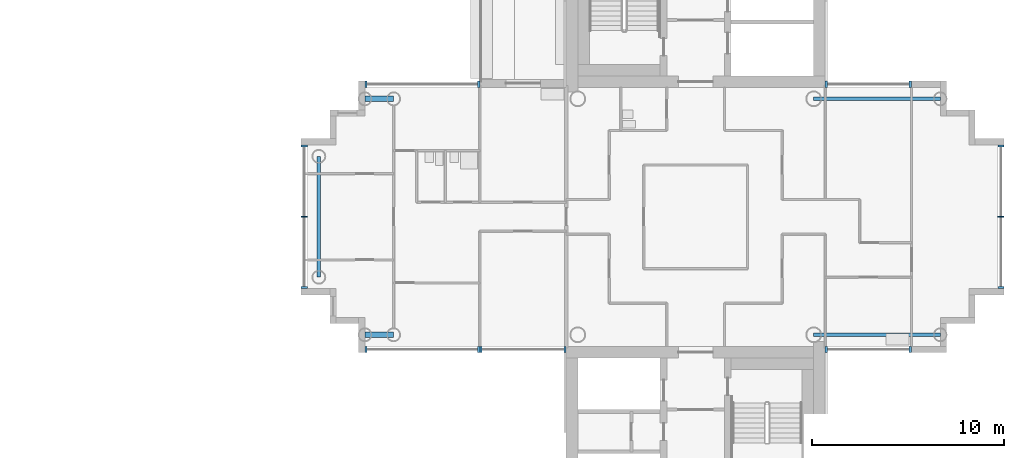
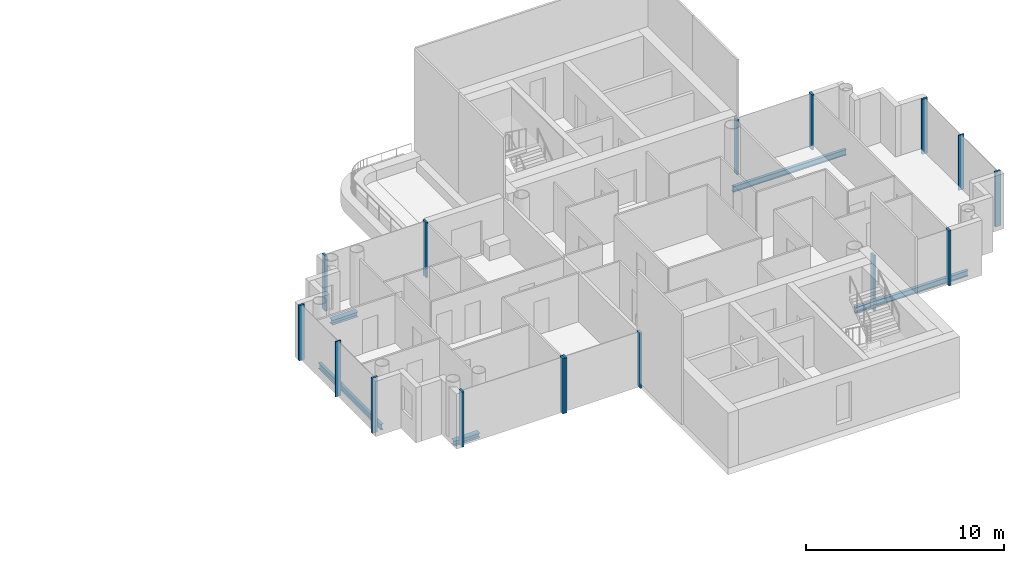
# One storey, part 4 of 18: 16 members, 5 beams, 7 elements without a shape of their own.
"""IFC4 building model written with IfcOpenShell, lengths in metres."""

from ifc_helpers import new_model, si_unit, direction, frame, origin, origin_2d, place, context, subcontext, project, spatial, rectangle, i_section, extrude, material, layer, layer_set, material_profile, profile_set, type_object, element, aggregate, save


model = new_model("IFC4")

# Units and contexts
model_context = context("Model", 3, precision=1e-05, world=origin(), true_north=direction((0.0, 1.0)))
body_context = subcontext(model_context, "Body", "Model", "MODEL_VIEW")
ifc_project = project(units=[si_unit("LENGTHUNIT", "METRE"), si_unit("AREAUNIT", "SQUARE_METRE"), si_unit("VOLUMEUNIT", "CUBIC_METRE"), si_unit("PLANEANGLEUNIT", "RADIAN"), si_unit("MASSUNIT", "GRAM", prefix="KILO")], contexts=[model_context])

# Site, building, storey
site_placement = place(None, origin())
site = spatial("IfcSite", under=ifc_project, at=site_placement, CompositionType="ELEMENT")
building_placement = place(site_placement, origin())
building = spatial("IfcBuilding", under=site, at=building_placement, Name="Ipe Terrace Towers", CompositionType="ELEMENT")
storey_placement = place(building_placement, frame((0.0, 0.0, 199.39990234375)))
storey = spatial("IfcBuildingStorey", under=building, at=storey_placement, Name="L55", CompositionType="ELEMENT", Elevation=199.39990234375)

# Beams
ifc_material_1 = material(Name="Steel S355", Category="steel")
ifc_material_profile_1 = material_profile(ifc_material_1, i_section(OverallWidth=0.300048828125, OverallDepth=0.300048828125, WebThickness=0.010009765625, FlangeThickness=0.014892578125, at=origin_2d()), Name="H-300x300x10x15")
ifc_profile_set_1 = profile_set([ifc_material_profile_1], Name="Steel S355")
beam_type_1 = type_object("IfcBeamType", Name="H03 EDGE BEAM H-300x300x10x15", PredefinedType="BEAM", material=ifc_profile_set_1)
for number, where, z_axis, x_axis, name in (
    (1, (20.25, 6.14990234375, -0.5498046875), (-1.0, 0.0, 0.0), (0.0, -1.0, 0.0), "Edge beam T2-EB-B03-B05"),
    (2, (20.25, -6.14990234375, -0.5498046875), (-1.0, 0.0, 0.0), (0.0, -1.0, 0.0), "Edge beam T2-EB-B04-B06"),
):
    element("IfcBeam", number, at=place(storey_placement, frame(where, z_axis=z_axis, x_axis=x_axis)), inside=storey, type_object=beam_type_1, Name=name, PredefinedType="BEAM", context=body_context, shape_type="SweptSolid", body=[
        extrude(i_section(OverallWidth=0.300048828125, OverallDepth=0.300048828125, WebThickness=0.010009765625, FlangeThickness=0.014892578125, at=origin_2d()), origin(), (0.0, 0.0, 1.0), 1.5),
    ])
ifc_material_2 = material(Name="Steel S355", Category="steel")
ifc_material_profile_2 = material_profile(ifc_material_2, i_section(OverallWidth=0.175048828125, OverallDepth=0.35009765625, WebThickness=0.007080078125, FlangeThickness=0.010986328125, at=origin_2d()), Name="H-350x175x7x11")
ifc_profile_set_2 = profile_set([ifc_material_profile_2], Name="Steel S355")
beam_type_2 = type_object("IfcBeamType", Name="H04 EDGE BEAM H-350x175x7x11", PredefinedType="BEAM", material=ifc_profile_set_2)
beam_placement = place(storey_placement, frame((16.35009765625, 3.14990234375, -0.574951171875), z_axis=(0.0, -1.0, 0.0), x_axis=(1.0, 0.0, 0.0)))
element("IfcBeam", 3, at=beam_placement, inside=storey, type_object=beam_type_2, Name="Edge beam T2-EB-B07-B08", PredefinedType="BEAM", context=body_context, shape_type="SweptSolid", body=[
    extrude(i_section(OverallWidth=0.175048828125, OverallDepth=0.35009765625, WebThickness=0.007080078125, FlangeThickness=0.010986328125, at=origin_2d()), origin(), (0.0, 0.0, 1.0), 6.2998046875),
])
for number, where, z_axis, x_axis, name in (
    (4, (48.75, -6.14990234375, -0.574951171875), (-1.0, 0.0, 0.0), (0.0, -1.0, 0.0), "Edge beam T2-EB-D01-E01"),
    (5, (48.75, 6.14990234375, -0.574951171875), (-1.0, 0.0, 0.0), (0.0, -1.0, 0.0), "Edge beam T2-EB-D02-E02"),
):
    element("IfcBeam", number, at=place(storey_placement, frame(where, z_axis=z_axis, x_axis=x_axis)), inside=storey, type_object=beam_type_2, Name=name, PredefinedType="BEAM", context=body_context, shape_type="SweptSolid", body=[
        extrude(i_section(OverallWidth=0.175048828125, OverallDepth=0.35009765625, WebThickness=0.007080078125, FlangeThickness=0.010986328125, at=origin_2d()), origin(), (0.0, 0.0, 1.0), 6.60009765625),
    ])

# Curtain wall, members
ifc_material_3 = material(Name="Aluminium alloy 6063-T6", Category="aluminium")
ifc_layer = layer(ifc_material_3, 0.320068359375)
ifc_layer_set = layer_set([ifc_layer], Name="TOWER UNITISED CURTAIN WALL")
curtain_wall_type = type_object("IfcCurtainWallType", Name="TOWER UNITISED CURTAIN WALL", PredefinedType="NOTDEFINED", material=ifc_layer_set)
curtain_wall_1_placement = place(storey_placement, origin())
curtain_wall_1 = element("IfcCurtainWall", 6, at=curtain_wall_1_placement, inside=storey, type_object=curtain_wall_type, Name="T2-CW-L55-02a curtain wall", PredefinedType="NOTDEFINED")
ifc_material_4 = material(Name="Aluminium alloy 6063-T6", Category="aluminium")
ifc_material_profile_3 = material_profile(ifc_material_4, rectangle(XDim=0.320068359375, YDim=0.1201171875, at=origin_2d()), Name="TOWER UNITISED CORNER MULLION 320 x 120")
ifc_profile_set_3 = profile_set([ifc_material_profile_3], Name="Aluminium alloy 6063-T6")
member_type_1 = type_object("IfcMemberType", Name="TOWER UNITISED CORNER MULLION 320 x 120", PredefinedType="MULLION", material=ifc_profile_set_3)
member_1_placement = place(storey_placement, frame((42.81005859375, -6.909912109375, -0.2998046875), z_axis=(0.0, 0.0, 1.0), x_axis=(0.0, -1.0, 0.0)))
member_1 = element("IfcMember", 7, at=member_1_placement, type_object=member_type_1, Name="T2-CW-L55-02a mullion 1", PredefinedType="MULLION", context=body_context, shape_type="SweptSolid", body=[
    extrude(rectangle(XDim=0.320068359375, YDim=0.1201171875, at=origin_2d()), origin(), (0.0, 0.0, 1.0), 3.39990234375),
])
member_2_placement = place(storey_placement, frame((47.18994140625, -6.909912109375, -0.2998046875), z_axis=(0.0, 0.0, 1.0), x_axis=(0.0, -1.0, 0.0)))
member_2 = element("IfcMember", 8, at=member_2_placement, type_object=member_type_1, Name="T2-CW-L55-02a mullion 2", PredefinedType="MULLION", context=body_context, shape_type="SweptSolid", body=[
    extrude(rectangle(XDim=0.320068359375, YDim=0.1201171875, at=origin_2d()), origin(), (0.0, 0.0, 1.0), 3.39990234375),
])
aggregate(curtain_wall_1, [member_1, member_2])

curtain_wall_2_placement = place(storey_placement, origin())
curtain_wall_2 = element("IfcCurtainWall", 9, at=curtain_wall_2_placement, inside=storey, type_object=curtain_wall_type, Name="T2-CW-L55-08a curtain wall", PredefinedType="NOTDEFINED")
member_3_placement = place(storey_placement, frame((51.909912109375, -3.68994140625, -0.2998046875), z_axis=(0.0, 0.0, 1.0), x_axis=(1.0, 0.0, 0.0)))
member_3 = element("IfcMember", 10, at=member_3_placement, type_object=member_type_1, Name="T2-CW-L55-08a mullion 1", PredefinedType="MULLION", context=body_context, shape_type="SweptSolid", body=[
    extrude(rectangle(XDim=0.320068359375, YDim=0.1201171875, at=origin_2d()), origin(), (0.0, 0.0, 1.0), 3.39990234375),
])
member_4_placement = place(storey_placement, frame((51.909912109375, 3.68994140625, -0.2998046875), z_axis=(0.0, 0.0, 1.0), x_axis=(1.0, 0.0, 0.0)))
member_4 = element("IfcMember", 11, at=member_4_placement, type_object=member_type_1, Name="T2-CW-L55-08a mullion 3", PredefinedType="MULLION", context=body_context, shape_type="SweptSolid", body=[
    extrude(rectangle(XDim=0.320068359375, YDim=0.1201171875, at=origin_2d()), origin(), (0.0, 0.0, 1.0), 3.39990234375),
])

curtain_wall_3_placement = place(storey_placement, origin())
curtain_wall_3 = element("IfcCurtainWall", 12, at=curtain_wall_3_placement, inside=storey, type_object=curtain_wall_type, Name="T2-CW-L55-14a curtain wall", PredefinedType="NOTDEFINED")
member_5_placement = place(storey_placement, frame((47.18994140625, 6.909912109375, -0.2998046875), z_axis=(0.0, 0.0, 1.0), x_axis=(0.0, 1.0, 0.0)))
member_5 = element("IfcMember", 13, at=member_5_placement, type_object=member_type_1, Name="T2-CW-L55-14a mullion 1", PredefinedType="MULLION", context=body_context, shape_type="SweptSolid", body=[
    extrude(rectangle(XDim=0.320068359375, YDim=0.1201171875, at=origin_2d()), origin(), (0.0, 0.0, 1.0), 3.39990234375),
])
member_6_placement = place(storey_placement, frame((42.81005859375, 6.909912109375, -0.2998046875), z_axis=(0.0, 0.0, 1.0), x_axis=(0.0, 1.0, 0.0)))
member_6 = element("IfcMember", 14, at=member_6_placement, type_object=member_type_1, Name="T2-CW-L55-14a mullion 2", PredefinedType="MULLION", context=body_context, shape_type="SweptSolid", body=[
    extrude(rectangle(XDim=0.320068359375, YDim=0.1201171875, at=origin_2d()), origin(), (0.0, 0.0, 1.0), 3.39990234375),
])
aggregate(curtain_wall_3, [member_5, member_6])

curtain_wall_4_placement = place(storey_placement, origin())
curtain_wall_4 = element("IfcCurtainWall", 15, at=curtain_wall_4_placement, inside=storey, type_object=curtain_wall_type, Name="T2-CW-L55-21a curtain wall", PredefinedType="NOTDEFINED")
member_7_placement = place(storey_placement, frame((24.68994140625, 6.909912109375, -0.2998046875), z_axis=(0.0, 0.0, 1.0), x_axis=(0.0, 1.0, 0.0)))
member_7 = element("IfcMember", 16, at=member_7_placement, type_object=member_type_1, Name="T2-CW-L55-21a mullion 1", PredefinedType="MULLION", context=body_context, shape_type="SweptSolid", body=[
    extrude(rectangle(XDim=0.320068359375, YDim=0.1201171875, at=origin_2d()), origin(), (0.0, 0.0, 1.0), 3.39990234375),
])
member_8_placement = place(storey_placement, frame((18.81005859375, 6.909912109375, -0.2998046875), z_axis=(0.0, 0.0, 1.0), x_axis=(0.0, 1.0, 0.0)))
member_8 = element("IfcMember", 17, at=member_8_placement, type_object=member_type_1, Name="T2-CW-L55-21a mullion 2", PredefinedType="MULLION", context=body_context, shape_type="SweptSolid", body=[
    extrude(rectangle(XDim=0.320068359375, YDim=0.1201171875, at=origin_2d()), origin(), (0.0, 0.0, 1.0), 3.39990234375),
])
aggregate(curtain_wall_4, [member_7, member_8])

curtain_wall_5_placement = place(storey_placement, origin())
curtain_wall_5 = element("IfcCurtainWall", 18, at=curtain_wall_5_placement, inside=storey, type_object=curtain_wall_type, Name="T2-CW-L55-26a curtain wall", PredefinedType="NOTDEFINED")
member_9_placement = place(storey_placement, frame((15.590087890625, 3.68994140625, -0.2998046875), z_axis=(0.0, 0.0, 1.0), x_axis=(-1.0, 0.0, 0.0)))
member_9 = element("IfcMember", 19, at=member_9_placement, type_object=member_type_1, Name="T2-CW-L55-26a mullion 1", PredefinedType="MULLION", context=body_context, shape_type="SweptSolid", body=[
    extrude(rectangle(XDim=0.320068359375, YDim=0.1201171875, at=origin_2d()), origin(), (0.0, 0.0, 1.0), 3.39990234375),
])
member_10_placement = place(storey_placement, frame((15.590087890625, -3.68994140625, -0.2998046875), z_axis=(0.0, 0.0, 1.0), x_axis=(-1.0, 0.0, 0.0)))
member_10 = element("IfcMember", 20, at=member_10_placement, type_object=member_type_1, Name="T2-CW-L55-26a mullion 3", PredefinedType="MULLION", context=body_context, shape_type="SweptSolid", body=[
    extrude(rectangle(XDim=0.320068359375, YDim=0.1201171875, at=origin_2d()), origin(), (0.0, 0.0, 1.0), 3.39990234375),
])

curtain_wall_6_placement = place(storey_placement, origin())
curtain_wall_6 = element("IfcCurtainWall", 21, at=curtain_wall_6_placement, inside=storey, type_object=curtain_wall_type, Name="T2-CW-L55-31a curtain wall", PredefinedType="NOTDEFINED")
member_11_placement = place(storey_placement, frame((18.81005859375, -6.909912109375, -0.2998046875), z_axis=(0.0, 0.0, 1.0), x_axis=(0.0, -1.0, 0.0)))
member_11 = element("IfcMember", 22, at=member_11_placement, type_object=member_type_1, Name="T2-CW-L55-31a mullion 1", PredefinedType="MULLION", context=body_context, shape_type="SweptSolid", body=[
    extrude(rectangle(XDim=0.320068359375, YDim=0.1201171875, at=origin_2d()), origin(), (0.0, 0.0, 1.0), 3.39990234375),
])
member_12_placement = place(storey_placement, frame((24.68994140625, -6.909912109375, -0.2998046875), z_axis=(0.0, 0.0, 1.0), x_axis=(0.0, -1.0, 0.0)))
member_12 = element("IfcMember", 23, at=member_12_placement, type_object=member_type_1, Name="T2-CW-L55-31a mullion 2", PredefinedType="MULLION", context=body_context, shape_type="SweptSolid", body=[
    extrude(rectangle(XDim=0.320068359375, YDim=0.1201171875, at=origin_2d()), origin(), (0.0, 0.0, 1.0), 3.39990234375),
])
aggregate(curtain_wall_6, [member_11, member_12])

curtain_wall_7_placement = place(storey_placement, origin())
curtain_wall_7 = element("IfcCurtainWall", 24, at=curtain_wall_7_placement, inside=storey, type_object=curtain_wall_type, Name="T2-CW-L55-32a curtain wall", PredefinedType="NOTDEFINED")
member_13_placement = place(storey_placement, frame((24.81005859375, -6.909912109375, -0.2998046875), z_axis=(0.0, 0.0, 1.0), x_axis=(0.0, -1.0, 0.0)))
member_13 = element("IfcMember", 25, at=member_13_placement, type_object=member_type_1, Name="T2-CW-L55-32a mullion 1", PredefinedType="MULLION", context=body_context, shape_type="SweptSolid", body=[
    extrude(rectangle(XDim=0.320068359375, YDim=0.1201171875, at=origin_2d()), origin(), (0.0, 0.0, 1.0), 3.39990234375),
])
member_14_placement = place(storey_placement, frame((29.18994140625, -6.909912109375, -0.2998046875), z_axis=(0.0, 0.0, 1.0), x_axis=(0.0, -1.0, 0.0)))
member_14 = element("IfcMember", 26, at=member_14_placement, type_object=member_type_1, Name="T2-CW-L55-32a mullion 2", PredefinedType="MULLION", context=body_context, shape_type="SweptSolid", body=[
    extrude(rectangle(XDim=0.320068359375, YDim=0.1201171875, at=origin_2d()), origin(), (0.0, 0.0, 1.0), 3.39990234375),
])
aggregate(curtain_wall_7, [member_13, member_14])

# Member
ifc_material_5 = material(Name="Aluminium alloy 6063-T6", Category="aluminium")
ifc_material_profile_4 = material_profile(ifc_material_5, rectangle(XDim=0.320068359375, YDim=0.06494140625, at=origin_2d()), Name="TOWER UNITISED MULLION 320 x 65")
ifc_profile_set_4 = profile_set([ifc_material_profile_4], Name="Aluminium alloy 6063-T6")
member_type_2 = type_object("IfcMemberType", Name="TOWER UNITISED MULLION 320 x 65", PredefinedType="MULLION", material=ifc_profile_set_4)
member_15_placement = place(storey_placement, frame((51.909912109375, 0.0, -0.2998046875), z_axis=(0.0, 0.0, 1.0), x_axis=(1.0, 0.0, 0.0)))
member_15 = element("IfcMember", 27, at=member_15_placement, type_object=member_type_2, Name="T2-CW-L55-08a mullion 2", PredefinedType="MULLION", context=body_context, shape_type="SweptSolid", body=[
    extrude(rectangle(XDim=0.320068359375, YDim=0.06494140625, at=origin_2d()), origin(), (0.0, 0.0, 1.0), 3.39990234375),
])

aggregate(curtain_wall_2, [member_3, member_15, member_4])

member_16_placement = place(storey_placement, frame((15.590087890625, 0.0, -0.2998046875), z_axis=(0.0, 0.0, 1.0), x_axis=(-1.0, 0.0, 0.0)))
member_16 = element("IfcMember", 28, at=member_16_placement, type_object=member_type_2, Name="T2-CW-L55-26a mullion 2", PredefinedType="MULLION", context=body_context, shape_type="SweptSolid", body=[
    extrude(rectangle(XDim=0.320068359375, YDim=0.06494140625, at=origin_2d()), origin(), (0.0, 0.0, 1.0), 3.39990234375),
])

aggregate(curtain_wall_5, [member_9, member_16, member_10])

save(model, "model.ifc")
